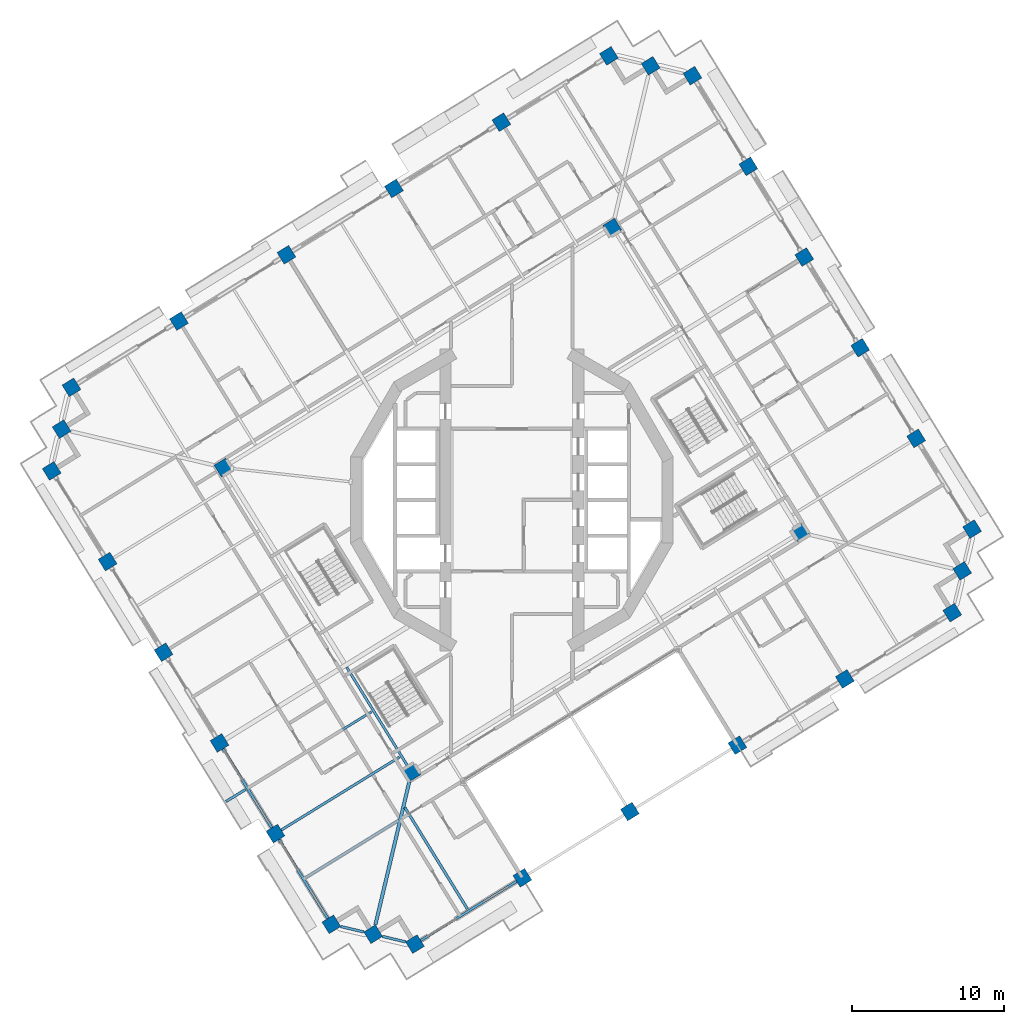
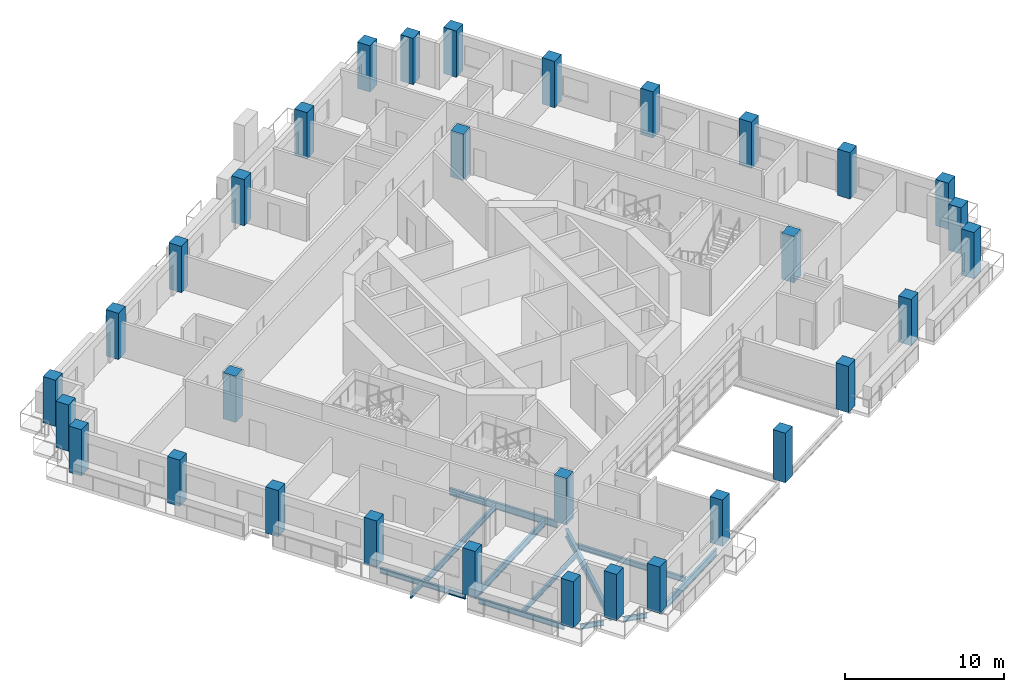
# One storey, part 1 of 22: 32 columns, 12 beams.
"""IFC4 building model written with IfcOpenShell, lengths in metres."""

from ifc_helpers import new_model, si_unit, direction, frame, origin, origin_2d, place, context, subcontext, project, spatial, rectangle, i_section, extrude, material, material_profile, profile_set, type_object, element, save


model = new_model("IFC4")

# Units and contexts
model_context = context("Model", 3, precision=1e-05, world=origin(), true_north=direction((0.0, 1.0)))
body_context = subcontext(model_context, "Body", "Model", "MODEL_VIEW")
ifc_project = project(units=[si_unit("LENGTHUNIT", "METRE"), si_unit("AREAUNIT", "SQUARE_METRE"), si_unit("VOLUMEUNIT", "CUBIC_METRE"), si_unit("PLANEANGLEUNIT", "RADIAN"), si_unit("MASSUNIT", "GRAM", prefix="KILO")], contexts=[model_context])

# Site, building, storey
site_placement = place(None, origin())
site = spatial("IfcSite", under=ifc_project, at=site_placement, CompositionType="ELEMENT")
building_placement = place(site_placement, origin())
building = spatial("IfcBuilding", under=site, at=building_placement, Name="Cantera Rosa Tower", CompositionType="ELEMENT")
storey_placement = place(building_placement, frame((0.0, 0.0, 174.199951171875)))
storey = spatial("IfcBuildingStorey", under=building, at=storey_placement, Name="L38", CompositionType="ELEMENT", Elevation=174.199951171875)

# Columns
ifc_material_1 = material(Name="Concrete C60/75", Category="concrete")
ifc_material_profile_1 = material_profile(ifc_material_1, rectangle(XDim=0.89990234375, YDim=0.89990234375, at=origin_2d()), Name="RC COLUMN RC900X900 C60/75")
ifc_profile_set_1 = profile_set([ifc_material_profile_1], Name="Concrete C60/75")
column_type_1 = type_object("IfcColumnType", Name="RC COLUMN RC900X900 C60/75", PredefinedType="COLUMN", material=ifc_profile_set_1)
for number, where, z_axis, x_axis, name in (
    (1, (30.321044921875, -1.917724609375, 0.0), (0.0, 0.0, 1.0), (0.851116672434, 0.52497658034, 0.0), "C-Z3-01 L38"),
    (2, (26.6357421875, 4.05712890625, 0.0), (0.0, 0.0, 1.0), (0.851116672434, 0.52497658034, 0.0), "C-Z3-02 L38"),
    (3, (22.950439453125, 10.031982421875, 0.0), (0.0, 0.0, 1.0), (0.851116672434, 0.52497658034, 0.0), "C-Z3-03 L38"),
    (4, (19.26513671875, 16.0068359375, 0.0), (0.0, 0.0, 1.0), (0.851116672434, 0.52497658034, 0.0), "C-Z3-04 L38"),
    (5, (15.57958984375, 21.981689453125, 0.0), (0.0, 0.0, 1.0), (0.851116672434, 0.52497658034, 0.0), "C-Z3-05 L38"),
    (6, (11.894287109375, 27.95654296875, 0.0), (0.0, 0.0, 1.0), (0.851116672434, 0.52497658034, 0.0), "C-Z3-06 L38"),
    (7, (9.14208984375, 28.60888671875, 0.0), (0.0, 0.0, 1.0), (0.851116672434, 0.52497658034, 0.0), "C-Z3-07 L38"),
    (8, (6.389892578125, 29.260986328125, 0.0), (0.0, 0.0, 1.0), (0.851116672434, 0.52497658034, 0.0), "C-Z3-08 L38"),
    (9, (-0.69140625, 24.893310546875, 0.0), (0.0, 0.0, 1.0), (0.851116672434, 0.52497658034, 0.0), "C-Z3-09 L38"),
    (10, (-7.772705078125, 20.525390625, 0.0), (0.0, 0.0, 1.0), (0.851116672434, 0.52497658034, 0.0), "C-Z3-10 L38"),
    (11, (-14.85400390625, 16.15771484375, 0.0), (0.0, 0.0, 1.0), (0.851116672434, 0.52497658034, 0.0), "C-Z3-11 L38"),
    (12, (-21.935302734375, 11.789794921875, 0.0), (0.0, 0.0, 1.0), (0.851116672434, 0.52497658034, 0.0), "C-Z3-12 L38"),
    (13, (-29.016357421875, 7.422119140625, 0.0), (0.0, 0.0, 1.0), (0.851116672434, 0.52497658034, 0.0), "C-Z3-13 L38"),
    (14, (-29.668701171875, 4.669921875, 0.0), (0.0, 0.0, 1.0), (0.851116672434, 0.52497658034, 0.0), "C-Z3-14 L38"),
    (15, (-30.321044921875, 1.917724609375, 0.0), (0.0, 0.0, 1.0), (0.851116672434, 0.52497658034, 0.0), "C-Z3-15 L38"),
    (16, (-26.6357421875, -4.05712890625, 0.0), (0.0, 0.0, 1.0), (0.851116672434, 0.52497658034, 0.0), "C-Z3-16 L38"),
    (17, (-22.950439453125, -10.031982421875, 0.0), (0.0, 0.0, 1.0), (0.851116672434, 0.52497658034, 0.0), "C-Z3-17 L38"),
    (18, (-19.26513671875, -16.0068359375, 0.0), (0.0, 0.0, 1.0), (0.851116672434, 0.52497658034, 0.0), "C-Z3-18 L38"),
    (19, (-15.57958984375, -21.981689453125, 0.0), (0.0, 0.0, 1.0), (0.851116672434, 0.52497658034, 0.0), "C-Z3-19 L38"),
    (20, (-11.894287109375, -27.95654296875, 0.0), (0.0, 0.0, 1.0), (0.851116672434, 0.52497658034, 0.0), "C-Z3-20 L38"),
    (21, (-9.14208984375, -28.60888671875, 0.0), (0.0, 0.0, 1.0), (0.851116672434, 0.52497658034, 0.0), "C-Z3-21 L38"),
    (22, (-6.389892578125, -29.260986328125, 0.0), (0.0, 0.0, 1.0), (0.851116672434, 0.52497658034, 0.0), "C-Z3-22 L38"),
    (23, (0.69140625, -24.893310546875, 0.0), (0.0, 0.0, 1.0), (0.851116672434, 0.52497658034, 0.0), "C-Z3-23 L38"),
):
    element("IfcColumn", number, at=place(storey_placement, frame(where, z_axis=z_axis, x_axis=x_axis)), inside=storey, type_object=column_type_1, Name=name, PredefinedType="COLUMN", context=body_context, shape_type="SweptSolid", body=[
        extrude(rectangle(XDim=0.89990234375, YDim=0.89990234375, at=origin_2d()), origin(), (0.0, 0.0, 1.0), 3.550048828125),
    ])
column_placement = place(storey_placement, frame((7.772705078125, -20.525390625, -0.25), z_axis=(0.0, 0.0, 1.0), x_axis=(0.851116672434, 0.52497658034, 0.0)))
element("IfcColumn", 24, at=column_placement, inside=storey, type_object=column_type_1, Name="C-Z3-24 L38", PredefinedType="COLUMN", context=body_context, shape_type="SweptSolid", body=[
    extrude(rectangle(XDim=0.89990234375, YDim=0.89990234375, at=origin_2d()), origin(), (0.0, 0.0, 1.0), 3.800048828125),
])
for number, where, z_axis, x_axis, name in (
    (25, (14.85400390625, -16.15771484375, 0.0), (0.0, 0.0, 1.0), (0.851116672434, 0.52497658034, 0.0), "C-Z3-25 L38"),
    (26, (21.935302734375, -11.789794921875, 0.0), (0.0, 0.0, 1.0), (0.851116672434, 0.52497658034, 0.0), "C-Z3-26 L38"),
    (27, (29.016357421875, -7.422119140625, 0.0), (0.0, 0.0, 1.0), (0.851116672434, 0.52497658034, 0.0), "C-Z3-27 L38"),
    (28, (29.668701171875, -4.669921875, 0.0), (0.0, 0.0, 1.0), (0.851116672434, 0.52497658034, 0.0), "C-Z3-28 L38"),
):
    element("IfcColumn", number, at=place(storey_placement, frame(where, z_axis=z_axis, x_axis=x_axis)), inside=storey, type_object=column_type_1, Name=name, PredefinedType="COLUMN", context=body_context, shape_type="SweptSolid", body=[
        extrude(rectangle(XDim=0.89990234375, YDim=0.89990234375, at=origin_2d()), origin(), (0.0, 0.0, 1.0), 3.550048828125),
    ])
ifc_material_2 = material(Name="Concrete C60/75", Category="concrete")
ifc_material_profile_2 = material_profile(ifc_material_2, rectangle(XDim=0.89990234375, YDim=0.89990234375, at=origin_2d()), Name="RC RING COLUMN RC900X900 C60/75")
ifc_profile_set_2 = profile_set([ifc_material_profile_2], Name="Concrete C60/75")
column_type_2 = type_object("IfcColumnType", Name="RC RING COLUMN RC900X900 C60/75", PredefinedType="COLUMN", material=ifc_profile_set_2)
for number, where, z_axis, x_axis, name in (
    (29, (6.614501953125, 17.944091796875, 0.0), (0.0, 0.0, 1.0), (0.851116672434, 0.52497658034, 0.0), "CI-Z3-1 L38"),
    (30, (-19.004150390625, 2.142333984375, 0.0), (0.0, 0.0, 1.0), (0.851116672434, 0.52497658034, 0.0), "CI-Z3-2 L38"),
    (31, (-6.614501953125, -17.944091796875, 0.0), (0.0, 0.0, 1.0), (0.851116672434, 0.52497658034, 0.0), "CI-Z3-3 L38"),
    (32, (19.004150390625, -2.142333984375, 0.0), (0.0, 0.0, 1.0), (0.851116672434, 0.52497658034, 0.0), "CI-Z3-4 L38"),
):
    element("IfcColumn", number, at=place(storey_placement, frame(where, z_axis=z_axis, x_axis=x_axis)), inside=storey, type_object=column_type_2, Name=name, PredefinedType="COLUMN", context=body_context, shape_type="SweptSolid", body=[
        extrude(rectangle(XDim=0.89990234375, YDim=0.89990234375, at=origin_2d()), origin(), (0.0, 0.0, 1.0), 3.550048828125),
    ])

# Beams
ifc_material_3 = material(Name="Steel ASTM A992 (Fy 345 MPa)", Category="steel")
ifc_material_profile_3 = material_profile(ifc_material_3, i_section(OverallWidth=0.166015625, OverallDepth=0.528076171875, WebThickness=0.009765625, FlangeThickness=0.013671875, FilletRadius=0.0126953125, at=origin_2d()), Name="W530X74")
ifc_profile_set_3 = profile_set([ifc_material_profile_3], Name="Steel ASTM A992 (Fy 345 MPa)")
beam_type_1 = type_object("IfcBeamType", Name="STEEL BEAM W530X74", PredefinedType="BEAM", material=ifc_profile_set_3)
beam_1_placement = place(storey_placement, frame((-15.19677734375, -21.745361328125, -0.513916015625), z_axis=(0.851123779764, 0.524965057427, 0.0), x_axis=(-0.524965057427, 0.851123779764, 0.0)))
element("IfcBeam", 33, at=beam_1_placement, inside=storey, type_object=beam_type_1, Name="G-Z3-16 L38", PredefinedType="BEAM", context=body_context, shape_type="SweptSolid", body=[
    extrude(i_section(OverallWidth=0.166015625, OverallDepth=0.528076171875, WebThickness=0.009765625, FlangeThickness=0.013671875, FilletRadius=0.0126953125, at=origin_2d()), origin(), (0.0, 0.0, 1.0), 9.150146484375),
])
beam_2_placement = place(storey_placement, frame((-6.850830078125, -17.56103515625, -0.513916015625), z_axis=(-0.52497571981, 0.851117203216, 0.0), x_axis=(-0.851117203216, -0.52497571981, 0.0)))
element("IfcBeam", 34, at=beam_2_placement, inside=storey, type_object=beam_type_1, Name="RB-Z3-07 L38", PredefinedType="BEAM", context=body_context, shape_type="SweptSolid", body=[
    extrude(i_section(OverallWidth=0.166015625, OverallDepth=0.528076171875, WebThickness=0.009765625, FlangeThickness=0.013671875, FilletRadius=0.0126953125, at=origin_2d()), origin(), (0.0, 0.0, 1.0), 7.690185546875),
])
ifc_material_4 = material(Name="Steel ASTM A992 (Fy 345 MPa)", Category="steel")
ifc_material_profile_4 = material_profile(ifc_material_4, i_section(OverallWidth=0.22802734375, OverallDepth=0.60205078125, WebThickness=0.010498046875, FlangeThickness=0.014892578125, FilletRadius=0.0126953125, at=origin_2d()), Name="W610X101")
ifc_profile_set_4 = profile_set([ifc_material_profile_4], Name="Steel ASTM A992 (Fy 345 MPa)")
beam_type_2 = type_object("IfcBeamType", Name="STEEL BEAM W610X101", PredefinedType="BEAM", material=ifc_profile_set_4)
beam_3_placement = place(storey_placement, frame((-8.995361328125, -27.989501953125, -0.551025390625), z_axis=(0.230622120091, 0.973043389436, 0.0), x_axis=(-0.973043389436, 0.230622120091, 0.0)))
element("IfcBeam", 35, at=beam_3_placement, inside=storey, type_object=beam_type_2, Name="CB-Z3-03 L38", PredefinedType="BEAM", context=body_context, shape_type="SweptSolid", body=[
    extrude(i_section(OverallWidth=0.22802734375, OverallDepth=0.60205078125, WebThickness=0.010498046875, FlangeThickness=0.014892578125, FilletRadius=0.0126953125, at=origin_2d()), origin(), (0.0, 0.0, 1.0), 9.6875),
])
ifc_material_5 = material(Name="Steel ASTM A992 (Fy 345 MPa)", Category="steel")
ifc_material_profile_5 = material_profile(ifc_material_5, i_section(OverallWidth=0.1708984375, OverallDepth=0.35595703125, WebThickness=0.00732421875, FlangeThickness=0.01171875, FilletRadius=0.010009765625, at=origin_2d()), Name="W360X51")
ifc_profile_set_5 = profile_set([ifc_material_profile_5], Name="Steel ASTM A992 (Fy 345 MPa)")
beam_type_3 = type_object("IfcBeamType", Name="STEEL JOIST W360X51", PredefinedType="JOIST", material=ifc_profile_set_5)
beam_4_placement = place(storey_placement, frame((-13.609375, -24.890380859375, -0.427978515625), z_axis=(0.851109089911, 0.524988873283, 0.0), x_axis=(-0.524988873283, 0.851109089911, 0.0)))
element("IfcBeam", 36, at=beam_4_placement, inside=storey, type_object=beam_type_3, Name="B-Z3-20 L38", PredefinedType="JOIST", context=body_context, shape_type="SweptSolid", body=[
    extrude(i_section(OverallWidth=0.1708984375, OverallDepth=0.35595703125, WebThickness=0.00732421875, FlangeThickness=0.01171875, FilletRadius=0.010009765625, at=origin_2d()), origin(), (0.0, 0.0, 1.0), 7.2099609375),
])
beam_5_placement = place(storey_placement, frame((-17.532958984375, -19.0625, -0.427978515625), z_axis=(-0.851148289142, -0.524925318393, 0.0), x_axis=(0.524925318393, -0.851148289142, 0.0)))
element("IfcBeam", 37, at=beam_5_placement, inside=storey, type_object=beam_type_3, Name="BS-Z3-19 L38", PredefinedType="JOIST", context=body_context, shape_type="SweptSolid", body=[
    extrude(i_section(OverallWidth=0.1708984375, OverallDepth=0.35595703125, WebThickness=0.00732421875, FlangeThickness=0.01171875, FilletRadius=0.010009765625, at=origin_2d()), origin(), (0.0, 0.0, 1.0), 1.52978515625),
])
ifc_material_6 = material(Name="Steel ASTM A992 (Fy 345 MPa)", Category="steel")
ifc_material_profile_6 = material_profile(ifc_material_6, i_section(OverallWidth=0.177978515625, OverallDepth=0.406005859375, WebThickness=0.0078125, FlangeThickness=0.0126953125, FilletRadius=0.01025390625, at=origin_2d()), Name="W410X60")
ifc_profile_set_6 = profile_set([ifc_material_profile_6], Name="Steel ASTM A992 (Fy 345 MPa)")
beam_type_4 = type_object("IfcBeamType", Name="STEEL JOIST W410X60", PredefinedType="JOIST", material=ifc_profile_set_6)
beam_6_placement = place(storey_placement, frame((-2.927978515625, -26.949462890625, -0.452880859375), z_axis=(-0.524994840515, 0.85110540912, 0.0), x_axis=(-0.85110540912, -0.524994840515, 0.0)))
element("IfcBeam", 38, at=beam_6_placement, inside=storey, type_object=beam_type_4, Name="B-Z3-11 L38", PredefinedType="JOIST", context=body_context, shape_type="SweptSolid", body=[
    extrude(i_section(OverallWidth=0.177978515625, OverallDepth=0.406005859375, WebThickness=0.0078125, FlangeThickness=0.0126953125, FilletRadius=0.01025390625, at=origin_2d()), origin(), (0.0, 0.0, 1.0), 7.860107421875),
])
ifc_material_7 = material(Name="Steel ASTM A992 (Fy 345 MPa)", Category="steel")
ifc_material_profile_7 = material_profile(ifc_material_7, i_section(OverallWidth=0.154052734375, OverallDepth=0.4599609375, WebThickness=0.009033203125, FlangeThickness=0.015380859375, FilletRadius=0.01025390625, at=origin_2d()), Name="W460X68")
ifc_profile_set_7 = profile_set([ifc_material_profile_7], Name="Steel ASTM A992 (Fy 345 MPa)")
beam_type_5 = type_object("IfcBeamType", Name="STEEL JOIST W460X68", PredefinedType="JOIST", material=ifc_profile_set_7)
beam_7_placement = place(storey_placement, frame((-17.294677734375, -18.91552734375, -0.47998046875), z_axis=(0.851118539758, 0.524973552935, 0.0), x_axis=(-0.524973552935, 0.851118539758, 0.0)))
element("IfcBeam", 39, at=beam_7_placement, inside=storey, type_object=beam_type_5, Name="B-Z3-19 L38", PredefinedType="JOIST", context=body_context, shape_type="SweptSolid", body=[
    extrude(i_section(OverallWidth=0.154052734375, OverallDepth=0.4599609375, WebThickness=0.009033203125, FlangeThickness=0.015380859375, FilletRadius=0.01025390625, at=origin_2d()), origin(), (0.0, 0.0, 1.0), 9.449951171875),
])
ifc_material_8 = material(Name="Steel ASTM A992 (Fy 345 MPa)", Category="steel")
ifc_material_profile_8 = material_profile(ifc_material_8, i_section(OverallWidth=0.1708984375, OverallDepth=0.35595703125, WebThickness=0.00732421875, FlangeThickness=0.01171875, FilletRadius=0.010009765625, at=origin_2d()), Name="W360X51")
ifc_profile_set_8 = profile_set([ifc_material_profile_8], Name="Steel ASTM A992 (Fy 345 MPa)")
beam_type_6 = type_object("IfcBeamType", Name="STEEL SPANDREL BEAM W360X51", PredefinedType="SPANDREL", material=ifc_profile_set_8)
for number, where, z_axis, x_axis, name in (
    (40, (-11.275146484375, -28.103271484375, -0.427978515625), (0.973059906546, -0.230552419793, 0.0), (0.230552419793, 0.973059906546, 0.0), "EB-Z3-20 L38"),
    (41, (-8.52294921875, -28.755615234375, -0.427978515625), (0.973059906546, -0.230552419793, 0.0), (0.230552419793, 0.973059906546, 0.0), "EB-Z3-21 L38"),
):
    element("IfcBeam", number, at=place(storey_placement, frame(where, z_axis=z_axis, x_axis=x_axis)), inside=storey, type_object=beam_type_6, Name=name, PredefinedType="SPANDREL", context=body_context, shape_type="SweptSolid", body=[
        extrude(i_section(OverallWidth=0.1708984375, OverallDepth=0.35595703125, WebThickness=0.00732421875, FlangeThickness=0.01171875, FilletRadius=0.010009765625, at=origin_2d()), origin(), (0.0, 0.0, 1.0), 1.5556640625),
    ])
ifc_material_9 = material(Name="Steel ASTM A992 (Fy 345 MPa)", Category="steel")
ifc_material_profile_9 = material_profile(ifc_material_9, i_section(OverallWidth=0.177978515625, OverallDepth=0.406005859375, WebThickness=0.0078125, FlangeThickness=0.0126953125, FilletRadius=0.01025390625, at=origin_2d()), Name="W410X60")
ifc_profile_set_9 = profile_set([ifc_material_profile_9], Name="Steel ASTM A992 (Fy 345 MPa)")
beam_type_7 = type_object("IfcBeamType", Name="STEEL SPANDREL BEAM W410X60", PredefinedType="SPANDREL", material=ifc_profile_set_9)
for number, where, z_axis, x_axis, name in (
    (42, (-19.02880859375, -16.389892578125, -0.452880859375), (0.524987447654, -0.851109969279, 0.0), (0.851109969279, 0.524987447654, 0.0), "EB-Z3-18 L38"),
    (43, (-15.343505859375, -22.36474609375, -0.452880859375), (0.524987447654, -0.851109969279, 0.0), (0.851109969279, 0.524987447654, 0.0), "EB-Z3-19 L38"),
):
    element("IfcBeam", number, at=place(storey_placement, frame(where, z_axis=z_axis, x_axis=x_axis)), inside=storey, type_object=beam_type_7, Name=name, PredefinedType="SPANDREL", context=body_context, shape_type="SweptSolid", body=[
        extrude(i_section(OverallWidth=0.177978515625, OverallDepth=0.406005859375, WebThickness=0.0078125, FlangeThickness=0.0126953125, FilletRadius=0.01025390625, at=origin_2d()), origin(), (0.0, 0.0, 1.0), 6.119873046875),
    ])
ifc_material_10 = material(Name="Steel ASTM A992 (Fy 345 MPa)", Category="steel")
ifc_material_profile_10 = material_profile(ifc_material_10, i_section(OverallWidth=0.166015625, OverallDepth=0.528076171875, WebThickness=0.009765625, FlangeThickness=0.013671875, FilletRadius=0.0126953125, at=origin_2d()), Name="W530X74")
ifc_profile_set_10 = profile_set([ifc_material_profile_10], Name="Steel ASTM A992 (Fy 345 MPa)")
beam_type_8 = type_object("IfcBeamType", Name="STEEL SPANDREL BEAM W530X74", PredefinedType="SPANDREL", material=ifc_profile_set_10)
beam_8_placement = place(storey_placement, frame((-6.007080078125, -29.02490234375, -0.513916015625), z_axis=(0.851111085575, 0.524985637909, 0.0), x_axis=(-0.524985637909, 0.851111085575, 0.0)))
element("IfcBeam", 44, at=beam_8_placement, inside=storey, type_object=beam_type_8, Name="EB-Z3-22 L38", PredefinedType="SPANDREL", context=body_context, shape_type="SweptSolid", body=[
    extrude(i_section(OverallWidth=0.166015625, OverallDepth=0.528076171875, WebThickness=0.009765625, FlangeThickness=0.013671875, FilletRadius=0.0126953125, at=origin_2d()), origin(), (0.0, 0.0, 1.0), 7.420166015625),
])

save(model, "model.ifc")
